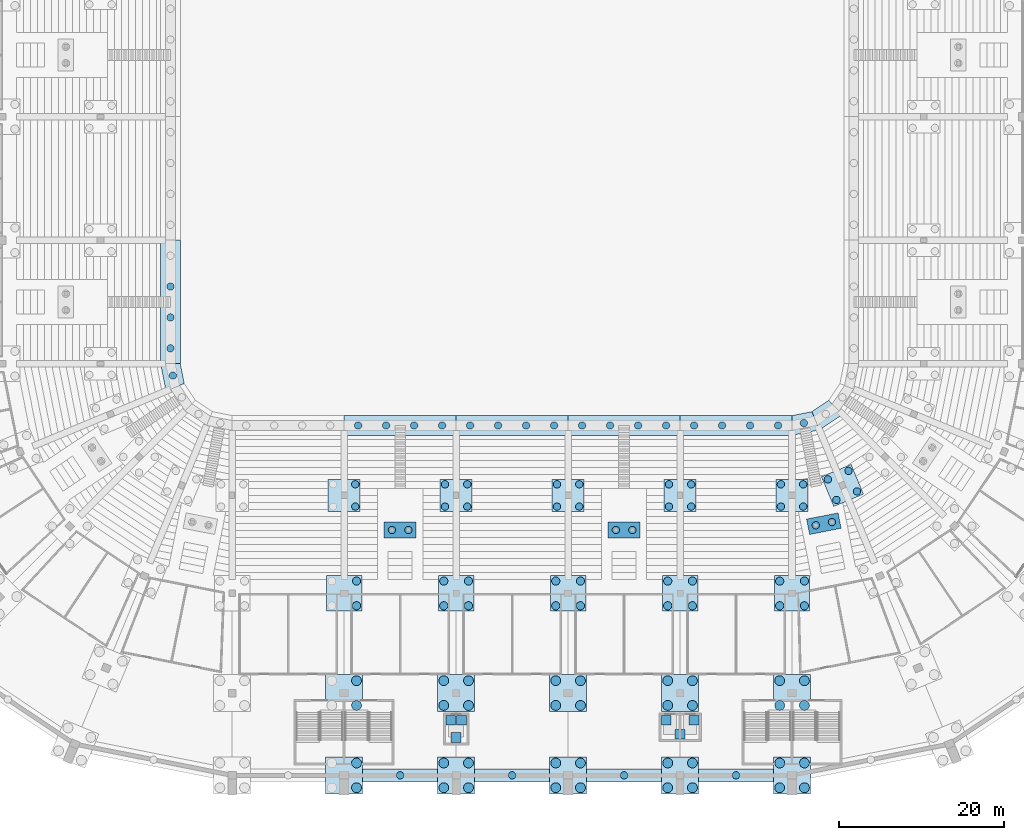
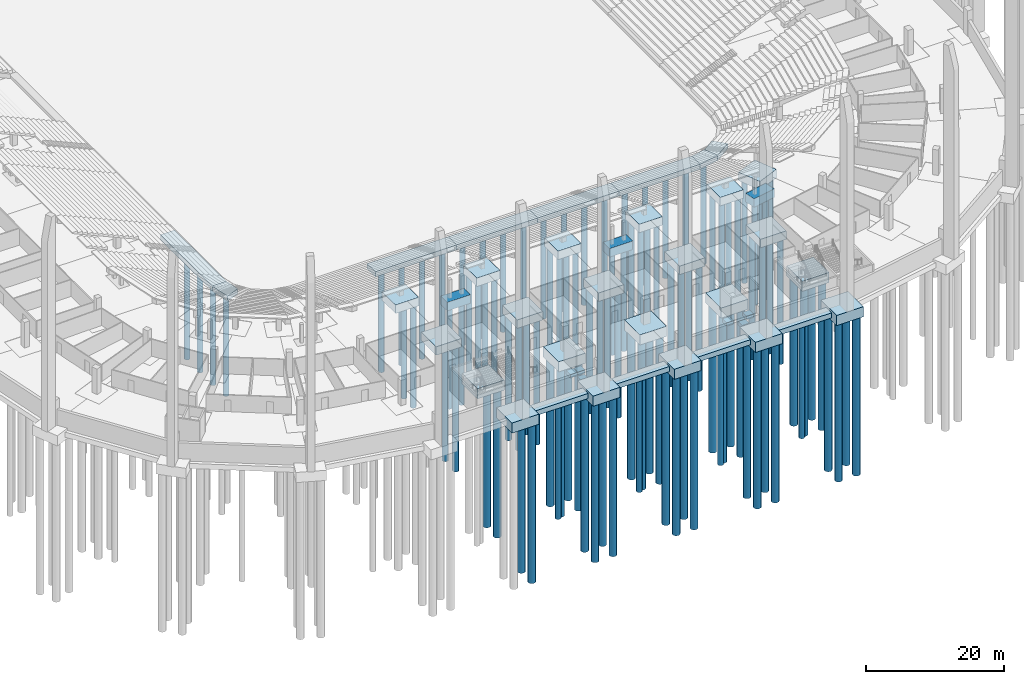
# One storey, part 2 of 115: 107 piles, 42 footings.
"""IFC4 building model written with IfcOpenShell, lengths in metres."""

from ifc_helpers import new_model, si_unit, direction, frame, origin, origin_2d, place, context, subcontext, project, spatial, polyline, rectangle, circle, outline, extrude, material, layer, layer_set, material_profile, profile_set, type_object, element, save


model = new_model("IFC4")

# Units and contexts
model_context = context("Model", 3, precision=1e-05, world=origin(), true_north=direction((0.0, 1.0)))
body_context = subcontext(model_context, "Body", "Model", "MODEL_VIEW")
ifc_project = project(units=[si_unit("LENGTHUNIT", "METRE"), si_unit("AREAUNIT", "SQUARE_METRE"), si_unit("VOLUMEUNIT", "CUBIC_METRE"), si_unit("PLANEANGLEUNIT", "RADIAN"), si_unit("MASSUNIT", "GRAM", prefix="KILO")], contexts=[model_context])

# Site, building, storey
site_placement = place(None, origin())
site = spatial("IfcSite", under=ifc_project, at=site_placement, CompositionType="ELEMENT")
building_placement = place(site_placement, origin())
building = spatial("IfcBuilding", under=site, at=building_placement, Name="Ogive Plaza Stadium", CompositionType="ELEMENT")
storey_placement = place(building_placement, frame((0.0, 0.0, -4.5)))
storey = spatial("IfcBuildingStorey", under=building, at=storey_placement, Name="B1", CompositionType="ELEMENT", Elevation=-4.5)

# Piles
ifc_material_1 = material(Name="Concrete C40/50", Category="concrete")
ifc_material_profile_1 = material_profile(ifc_material_1, circle(Radius=0.5, at=origin_2d()), Name="RC D1000")
ifc_profile_set_1 = profile_set([ifc_material_profile_1], Name="Concrete C40/50")
pile_type_1 = type_object("IfcPileType", Name="Bored pile D1000", PredefinedType="BORED", material=ifc_profile_set_1)
for number, where, z_axis, x_axis, name in (
    (1, (32.5, -78.89990234375, -1.5), (0.0, 0.0, -1.0), (1.0, 0.0, 0.0), "Bored pile F3:R12 1"),
    (2, (35.5, -78.89990234375, -1.5), (0.0, 0.0, -1.0), (1.0, 0.0, 0.0), "Bored pile F3:R12 2"),
    (3, (32.5, -81.89990234375, -1.5), (0.0, 0.0, -1.0), (1.0, 0.0, 0.0), "Bored pile F3:R12 3"),
    (4, (35.5, -81.89990234375, -1.5), (0.0, 0.0, -1.0), (1.0, 0.0, 0.0), "Bored pile F3:R12 4"),
    (5, (18.89990234375, -78.89990234375, -1.5), (0.0, 0.0, -1.0), (1.0, 0.0, 0.0), "Bored pile F3:R13 1"),
    (6, (21.89990234375, -78.89990234375, -1.5), (0.0, 0.0, -1.0), (1.0, 0.0, 0.0), "Bored pile F3:R13 2"),
    (7, (18.89990234375, -81.89990234375, -1.5), (0.0, 0.0, -1.0), (1.0, 0.0, 0.0), "Bored pile F3:R13 3"),
    (8, (21.89990234375, -81.89990234375, -1.5), (0.0, 0.0, -1.0), (1.0, 0.0, 0.0), "Bored pile F3:R13 4"),
    (9, (5.300048828125, -78.89990234375, -1.5), (0.0, 0.0, -1.0), (1.0, 0.0, 0.0), "Bored pile F3:R14 1"),
    (10, (8.300048828125, -78.89990234375, -1.5), (0.0, 0.0, -1.0), (1.0, 0.0, 0.0), "Bored pile F3:R14 2"),
    (11, (5.300048828125, -81.89990234375, -1.5), (0.0, 0.0, -1.0), (1.0, 0.0, 0.0), "Bored pile F3:R14 3"),
    (12, (8.300048828125, -81.89990234375, -1.5), (0.0, 0.0, -1.0), (1.0, 0.0, 0.0), "Bored pile F3:R14 4"),
    (13, (-8.300048828125, -78.89990234375, -1.5), (0.0, 0.0, -1.0), (1.0, 0.0, 0.0), "Bored pile F3:R15 1"),
    (14, (-5.300048828125, -78.89990234375, -1.5), (0.0, 0.0, -1.0), (1.0, 0.0, 0.0), "Bored pile F3:R15 2"),
    (15, (-8.300048828125, -81.89990234375, -1.5), (0.0, 0.0, -1.0), (1.0, 0.0, 0.0), "Bored pile F3:R15 3"),
    (16, (-5.300048828125, -81.89990234375, -1.5), (0.0, 0.0, -1.0), (1.0, 0.0, 0.0), "Bored pile F3:R15 4"),
    (17, (-18.89990234375, -78.89990234375, -1.5), (0.0, 0.0, -1.0), (1.0, 0.0, 0.0), "Bored pile F3:R16 2"),
    (18, (-18.89990234375, -81.89990234375, -1.5), (0.0, 0.0, -1.0), (1.0, 0.0, 0.0), "Bored pile F3:R16 4"),
):
    element("IfcPile", number, at=place(storey_placement, frame(where, z_axis=z_axis, x_axis=x_axis)), inside=storey, type_object=pile_type_1, Name=name, PredefinedType="BORED", context=body_context, shape_type="SweptSolid", body=[
        extrude(circle(Radius=0.5, at=origin_2d()), origin(), (0.0, 0.0, 1.0), 22.0),
    ])
ifc_material_2 = material(Name="Concrete C40/50", Category="concrete")
ifc_material_profile_2 = material_profile(ifc_material_2, circle(Radius=0.60009765625, at=origin_2d()), Name="RC D1200")
ifc_profile_set_2 = profile_set([ifc_material_profile_2], Name="Concrete C40/50")
pile_type_2 = type_object("IfcPileType", Name="Bored pile D1200", PredefinedType="BORED", material=ifc_profile_set_2)
for number, where, z_axis, x_axis, name in (
    (19, (32.5, -91.0, -1.800048828125), (0.0, 0.0, -1.0), (1.0, 0.0, 0.0), "Bored pile F4:R12 1"),
    (20, (35.5, -91.0, -1.800048828125), (0.0, 0.0, -1.0), (1.0, 0.0, 0.0), "Bored pile F4:R12 2"),
    (21, (32.5, -94.0, -1.800048828125), (0.0, 0.0, -1.0), (1.0, 0.0, 0.0), "Bored pile F4:R12 3"),
    (22, (35.5, -94.0, -1.800048828125), (0.0, 0.0, -1.0), (1.0, 0.0, 0.0), "Bored pile F4:R12 4"),
):
    element("IfcPile", number, at=place(storey_placement, frame(where, z_axis=z_axis, x_axis=x_axis)), inside=storey, type_object=pile_type_2, Name=name, PredefinedType="BORED", context=body_context, shape_type="SweptSolid", body=[
        extrude(circle(Radius=0.60009765625, at=origin_2d()), origin(), (0.0, 0.0, 1.0), 26.0),
    ])
for number, where, z_axis, x_axis, name in (
    (23, (32.5, -101.0, -1.800048828125), (0.0, 0.0, -1.0), (1.0, 0.0, 0.0), "Bored pile F5:R12 1"),
    (24, (35.5, -101.0, -1.800048828125), (0.0, 0.0, -1.0), (1.0, 0.0, 0.0), "Bored pile F5:R12 2"),
    (25, (32.5, -104.0, -1.800048828125), (0.0, 0.0, -1.0), (1.0, 0.0, 0.0), "Bored pile F5:R12 3"),
    (26, (35.5, -104.0, -1.800048828125), (0.0, 0.0, -1.0), (1.0, 0.0, 0.0), "Bored pile F5:R12 4"),
):
    element("IfcPile", number, at=place(storey_placement, frame(where, z_axis=z_axis, x_axis=x_axis)), inside=storey, type_object=pile_type_2, Name=name, PredefinedType="BORED", context=body_context, shape_type="SweptSolid", body=[
        extrude(circle(Radius=0.60009765625, at=origin_2d()), origin(), (0.0, 0.0, 1.0), 28.0),
    ])
for number, where, z_axis, x_axis, name in (
    (27, (18.89990234375, -91.0, -1.800048828125), (0.0, 0.0, -1.0), (1.0, 0.0, 0.0), "Bored pile F4:R13 1"),
    (28, (21.89990234375, -91.0, -1.800048828125), (0.0, 0.0, -1.0), (1.0, 0.0, 0.0), "Bored pile F4:R13 2"),
    (29, (18.89990234375, -94.0, -1.800048828125), (0.0, 0.0, -1.0), (1.0, 0.0, 0.0), "Bored pile F4:R13 3"),
    (30, (21.89990234375, -94.0, -1.800048828125), (0.0, 0.0, -1.0), (1.0, 0.0, 0.0), "Bored pile F4:R13 4"),
):
    element("IfcPile", number, at=place(storey_placement, frame(where, z_axis=z_axis, x_axis=x_axis)), inside=storey, type_object=pile_type_2, Name=name, PredefinedType="BORED", context=body_context, shape_type="SweptSolid", body=[
        extrude(circle(Radius=0.60009765625, at=origin_2d()), origin(), (0.0, 0.0, 1.0), 26.0),
    ])
for number, where, z_axis, x_axis, name in (
    (31, (18.89990234375, -101.0, -1.800048828125), (0.0, 0.0, -1.0), (1.0, 0.0, 0.0), "Bored pile F5:R13 1"),
    (32, (21.89990234375, -101.0, -1.800048828125), (0.0, 0.0, -1.0), (1.0, 0.0, 0.0), "Bored pile F5:R13 2"),
    (33, (18.89990234375, -104.0, -1.800048828125), (0.0, 0.0, -1.0), (1.0, 0.0, 0.0), "Bored pile F5:R13 3"),
    (34, (21.89990234375, -104.0, -1.800048828125), (0.0, 0.0, -1.0), (1.0, 0.0, 0.0), "Bored pile F5:R13 4"),
):
    element("IfcPile", number, at=place(storey_placement, frame(where, z_axis=z_axis, x_axis=x_axis)), inside=storey, type_object=pile_type_2, Name=name, PredefinedType="BORED", context=body_context, shape_type="SweptSolid", body=[
        extrude(circle(Radius=0.60009765625, at=origin_2d()), origin(), (0.0, 0.0, 1.0), 28.0),
    ])
for number, where, z_axis, x_axis, name in (
    (35, (5.300048828125, -91.0, -1.800048828125), (0.0, 0.0, -1.0), (1.0, 0.0, 0.0), "Bored pile F4:R14 1"),
    (36, (8.300048828125, -91.0, -1.800048828125), (0.0, 0.0, -1.0), (1.0, 0.0, 0.0), "Bored pile F4:R14 2"),
    (37, (5.300048828125, -94.0, -1.800048828125), (0.0, 0.0, -1.0), (1.0, 0.0, 0.0), "Bored pile F4:R14 3"),
    (38, (8.300048828125, -94.0, -1.800048828125), (0.0, 0.0, -1.0), (1.0, 0.0, 0.0), "Bored pile F4:R14 4"),
):
    element("IfcPile", number, at=place(storey_placement, frame(where, z_axis=z_axis, x_axis=x_axis)), inside=storey, type_object=pile_type_2, Name=name, PredefinedType="BORED", context=body_context, shape_type="SweptSolid", body=[
        extrude(circle(Radius=0.60009765625, at=origin_2d()), origin(), (0.0, 0.0, 1.0), 26.0),
    ])
for number, where, z_axis, x_axis, name in (
    (39, (5.300048828125, -101.0, -1.800048828125), (0.0, 0.0, -1.0), (1.0, 0.0, 0.0), "Bored pile F5:R14 1"),
    (40, (8.300048828125, -101.0, -1.800048828125), (0.0, 0.0, -1.0), (1.0, 0.0, 0.0), "Bored pile F5:R14 2"),
    (41, (5.300048828125, -104.0, -1.800048828125), (0.0, 0.0, -1.0), (1.0, 0.0, 0.0), "Bored pile F5:R14 3"),
    (42, (8.300048828125, -104.0, -1.800048828125), (0.0, 0.0, -1.0), (1.0, 0.0, 0.0), "Bored pile F5:R14 4"),
):
    element("IfcPile", number, at=place(storey_placement, frame(where, z_axis=z_axis, x_axis=x_axis)), inside=storey, type_object=pile_type_2, Name=name, PredefinedType="BORED", context=body_context, shape_type="SweptSolid", body=[
        extrude(circle(Radius=0.60009765625, at=origin_2d()), origin(), (0.0, 0.0, 1.0), 28.0),
    ])
for number, where, z_axis, x_axis, name in (
    (43, (-8.300048828125, -91.0, -1.800048828125), (0.0, 0.0, -1.0), (1.0, 0.0, 0.0), "Bored pile F4:R15 1"),
    (44, (-5.300048828125, -91.0, -1.800048828125), (0.0, 0.0, -1.0), (1.0, 0.0, 0.0), "Bored pile F4:R15 2"),
    (45, (-8.300048828125, -94.0, -1.800048828125), (0.0, 0.0, -1.0), (1.0, 0.0, 0.0), "Bored pile F4:R15 3"),
    (46, (-5.300048828125, -94.0, -1.800048828125), (0.0, 0.0, -1.0), (1.0, 0.0, 0.0), "Bored pile F4:R15 4"),
):
    element("IfcPile", number, at=place(storey_placement, frame(where, z_axis=z_axis, x_axis=x_axis)), inside=storey, type_object=pile_type_2, Name=name, PredefinedType="BORED", context=body_context, shape_type="SweptSolid", body=[
        extrude(circle(Radius=0.60009765625, at=origin_2d()), origin(), (0.0, 0.0, 1.0), 26.0),
    ])
for number, where, z_axis, x_axis, name in (
    (47, (-8.300048828125, -101.0, -1.800048828125), (0.0, 0.0, -1.0), (1.0, 0.0, 0.0), "Bored pile F5:R15 1"),
    (48, (-5.300048828125, -101.0, -1.800048828125), (0.0, 0.0, -1.0), (1.0, 0.0, 0.0), "Bored pile F5:R15 2"),
    (49, (-8.300048828125, -104.0, -1.800048828125), (0.0, 0.0, -1.0), (1.0, 0.0, 0.0), "Bored pile F5:R15 3"),
    (50, (-5.300048828125, -104.0, -1.800048828125), (0.0, 0.0, -1.0), (1.0, 0.0, 0.0), "Bored pile F5:R15 4"),
):
    element("IfcPile", number, at=place(storey_placement, frame(where, z_axis=z_axis, x_axis=x_axis)), inside=storey, type_object=pile_type_2, Name=name, PredefinedType="BORED", context=body_context, shape_type="SweptSolid", body=[
        extrude(circle(Radius=0.60009765625, at=origin_2d()), origin(), (0.0, 0.0, 1.0), 28.0),
    ])
for number, where, z_axis, x_axis, name in (
    (51, (-18.89990234375, -91.0, -1.800048828125), (0.0, 0.0, -1.0), (1.0, 0.0, 0.0), "Bored pile F4:R16 2"),
    (52, (-18.89990234375, -94.0, -1.800048828125), (0.0, 0.0, -1.0), (1.0, 0.0, 0.0), "Bored pile F4:R16 4"),
):
    element("IfcPile", number, at=place(storey_placement, frame(where, z_axis=z_axis, x_axis=x_axis)), inside=storey, type_object=pile_type_2, Name=name, PredefinedType="BORED", context=body_context, shape_type="SweptSolid", body=[
        extrude(circle(Radius=0.60009765625, at=origin_2d()), origin(), (0.0, 0.0, 1.0), 26.0),
    ])
for number, where, z_axis, x_axis, name in (
    (53, (-18.89990234375, -101.0, -1.800048828125), (0.0, 0.0, -1.0), (1.0, 0.0, 0.0), "Bored pile F5:R16 2"),
    (54, (-18.89990234375, -104.0, -1.800048828125), (0.0, 0.0, -1.0), (1.0, 0.0, 0.0), "Bored pile F5:R16 4"),
):
    element("IfcPile", number, at=place(storey_placement, frame(where, z_axis=z_axis, x_axis=x_axis)), inside=storey, type_object=pile_type_2, Name=name, PredefinedType="BORED", context=body_context, shape_type="SweptSolid", body=[
        extrude(circle(Radius=0.60009765625, at=origin_2d()), origin(), (0.0, 0.0, 1.0), 28.0),
    ])
ifc_material_3 = material(Name="Concrete C40/50", Category="concrete")
ifc_material_profile_3 = material_profile(ifc_material_3, circle(Radius=0.449951171875, at=origin_2d()), Name="RC D900")
ifc_profile_set_3 = profile_set([ifc_material_profile_3], Name="Concrete C40/50")
pile_type_3 = type_object("IfcPileType", Name="Bored pile D900", PredefinedType="BORED", material=ifc_profile_set_3)
for number, where, z_axis, x_axis, name in (
    (55, (38.359130859375, -66.551513671875, -1.5), (0.0, 0.0, -1.0), (1.0, 0.0, 0.0), "Bored pile F1:R11 1"),
    (56, (40.853515625, -65.518310546875, -1.5), (0.0, 0.0, -1.0), (1.0, 0.0, 0.0), "Bored pile F1:R11 2"),
    (57, (39.392333984375, -69.0458984375, -1.5), (0.0, 0.0, -1.0), (1.0, 0.0, 0.0), "Bored pile F1:R11 3"),
    (58, (41.88671875, -68.0126953125, -1.5), (0.0, 0.0, -1.0), (1.0, 0.0, 0.0), "Bored pile F1:R11 4"),
    (59, (32.64990234375, -67.14990234375, -1.5), (0.0, 0.0, -1.0), (1.0, 0.0, 0.0), "Bored pile F1:R12 1"),
    (60, (35.35009765625, -67.14990234375, -1.5), (0.0, 0.0, -1.0), (1.0, 0.0, 0.0), "Bored pile F1:R12 2"),
    (61, (32.64990234375, -69.85009765625, -1.5), (0.0, 0.0, -1.0), (1.0, 0.0, 0.0), "Bored pile F1:R12 3"),
    (62, (35.35009765625, -69.85009765625, -1.5), (0.0, 0.0, -1.0), (1.0, 0.0, 0.0), "Bored pile F1:R12 4"),
    (63, (19.050048828125, -67.14990234375, -1.5), (0.0, 0.0, -1.0), (1.0, 0.0, 0.0), "Bored pile F1:R13 1"),
    (64, (21.75, -67.14990234375, -1.5), (0.0, 0.0, -1.0), (1.0, 0.0, 0.0), "Bored pile F1:R13 2"),
    (65, (19.050048828125, -69.85009765625, -1.5), (0.0, 0.0, -1.0), (1.0, 0.0, 0.0), "Bored pile F1:R13 3"),
    (66, (21.75, -69.85009765625, -1.5), (0.0, 0.0, -1.0), (1.0, 0.0, 0.0), "Bored pile F1:R13 4"),
    (67, (5.449951171875, -67.14990234375, -1.5), (0.0, 0.0, -1.0), (1.0, 0.0, 0.0), "Bored pile F1:R14 1"),
    (68, (8.14990234375, -67.14990234375, -1.5), (0.0, 0.0, -1.0), (1.0, 0.0, 0.0), "Bored pile F1:R14 2"),
    (69, (5.449951171875, -69.85009765625, -1.5), (0.0, 0.0, -1.0), (1.0, 0.0, 0.0), "Bored pile F1:R14 3"),
    (70, (8.14990234375, -69.85009765625, -1.5), (0.0, 0.0, -1.0), (1.0, 0.0, 0.0), "Bored pile F1:R14 4"),
    (71, (-8.14990234375, -67.14990234375, -1.5), (0.0, 0.0, -1.0), (1.0, 0.0, 0.0), "Bored pile F1:R15 1"),
    (72, (-5.449951171875, -67.14990234375, -1.5), (0.0, 0.0, -1.0), (1.0, 0.0, 0.0), "Bored pile F1:R15 2"),
    (73, (-8.14990234375, -69.85009765625, -1.5), (0.0, 0.0, -1.0), (1.0, 0.0, 0.0), "Bored pile F1:R15 3"),
    (74, (-5.449951171875, -69.85009765625, -1.5), (0.0, 0.0, -1.0), (1.0, 0.0, 0.0), "Bored pile F1:R15 4"),
    (75, (-19.050048828125, -67.14990234375, -1.5), (0.0, 0.0, -1.0), (1.0, 0.0, 0.0), "Bored pile F1:R16 2"),
    (76, (-19.050048828125, -69.85009765625, -1.5), (0.0, 0.0, -1.0), (1.0, 0.0, 0.0), "Bored pile F1:R16 4"),
    (77, (35.43505859375, -59.714599609375, -1.300048828125), (0.0, 0.0, -1.0), (1.0, 0.0, 0.0), "Bored pile F0:B11 1"),
    (78, (32.300048828125, -60.0, -1.300048828125), (0.0, 0.0, -1.0), (1.0, 0.0, 0.0), "Bored pile F0:B12 1"),
    (79, (28.89990234375, -60.0, -1.300048828125), (0.0, 0.0, -1.0), (1.0, 0.0, 0.0), "Bored pile F0:B12 2"),
    (80, (25.5, -60.0, -1.300048828125), (0.0, 0.0, -1.0), (1.0, 0.0, 0.0), "Bored pile F0:B12 3"),
    (81, (22.10009765625, -60.0, -1.300048828125), (0.0, 0.0, -1.0), (1.0, 0.0, 0.0), "Bored pile F0:B12 4"),
    (82, (18.699951171875, -60.0, -1.300048828125), (0.0, 0.0, -1.0), (1.0, 0.0, 0.0), "Bored pile F0:B13 1"),
    (83, (15.300048828125, -60.0, -1.300048828125), (0.0, 0.0, -1.0), (1.0, 0.0, 0.0), "Bored pile F0:B13 2"),
    (84, (11.89990234375, -60.0, -1.300048828125), (0.0, 0.0, -1.0), (1.0, 0.0, 0.0), "Bored pile F0:B13 3"),
    (85, (8.5, -60.0, -1.300048828125), (0.0, 0.0, -1.0), (1.0, 0.0, 0.0), "Bored pile F0:B13 4"),
    (86, (5.10009765625, -60.0, -1.300048828125), (0.0, 0.0, -1.0), (1.0, 0.0, 0.0), "Bored pile F0:B14 1"),
    (87, (1.699951171875, -60.0, -1.300048828125), (0.0, 0.0, -1.0), (1.0, 0.0, 0.0), "Bored pile F0:B14 2"),
    (88, (-1.699951171875, -60.0, -1.300048828125), (0.0, 0.0, -1.0), (1.0, 0.0, 0.0), "Bored pile F0:B14 3"),
    (89, (-5.10009765625, -60.0, -1.300048828125), (0.0, 0.0, -1.0), (1.0, 0.0, 0.0), "Bored pile F0:B14 4"),
    (90, (-8.5, -60.0, -1.300048828125), (0.0, 0.0, -1.0), (1.0, 0.0, 0.0), "Bored pile F0:B15 1"),
    (91, (-11.89990234375, -60.0, -1.300048828125), (0.0, 0.0, -1.0), (1.0, 0.0, 0.0), "Bored pile F0:B15 2"),
    (92, (-15.300048828125, -60.0, -1.300048828125), (0.0, 0.0, -1.0), (1.0, 0.0, 0.0), "Bored pile F0:B15 3"),
    (93, (-18.699951171875, -60.0, -1.300048828125), (0.0, 0.0, -1.0), (1.0, 0.0, 0.0), "Bored pile F0:B15 4"),
    (94, (-41.214599609375, -53.93505859375, -1.300048828125), (0.0, 0.0, -1.0), (1.0, 0.0, 0.0), "Bored pile F0:B20 1"),
    (95, (-41.5, -50.625, -1.300048828125), (0.0, 0.0, -1.0), (1.0, 0.0, 0.0), "Bored pile F0:B21 1"),
    (96, (-41.5, -46.875, -1.300048828125), (0.0, 0.0, -1.0), (1.0, 0.0, 0.0), "Bored pile F0:B21 2"),
    (97, (-41.5, -43.125, -1.300048828125), (0.0, 0.0, -1.0), (1.0, 0.0, 0.0), "Bored pile F0:B21 3"),
):
    element("IfcPile", number, at=place(storey_placement, frame(where, z_axis=z_axis, x_axis=x_axis)), inside=storey, type_object=pile_type_3, Name=name, PredefinedType="BORED", context=body_context, shape_type="SweptSolid", body=[
        extrude(circle(Radius=0.449951171875, at=origin_2d()), origin(), (0.0, 0.0, 1.0), 18.0),
    ])
for number, where, z_axis, x_axis, name in (
    (98, (27.199951171875, -102.5, -1.300048828125), (0.0, 0.0, -1.0), (1.0, 0.0, 0.0), "Bored pile RET:B12 1"),
    (99, (13.60009765625, -102.5, -1.300048828125), (0.0, 0.0, -1.0), (1.0, 0.0, 0.0), "Bored pile RET:B13 1"),
    (100, (0.0, -102.5, -1.300048828125), (0.0, 0.0, -1.0), (1.0, 0.0, 0.0), "Bored pile RET:B14 1"),
    (101, (-13.60009765625, -102.5, -1.300048828125), (0.0, 0.0, -1.0), (1.0, 0.0, 0.0), "Bored pile RET:B15 1"),
):
    element("IfcPile", number, at=place(storey_placement, frame(where, z_axis=z_axis, x_axis=x_axis)), inside=storey, type_object=pile_type_3, Name=name, PredefinedType="BORED", context=body_context, shape_type="SweptSolid", body=[
        extrude(circle(Radius=0.449951171875, at=origin_2d()), origin(), (0.0, 0.0, 1.0), 20.0),
    ])
for number, where, z_axis, x_axis, name in (
    (102, (36.88427734375, -72.126220703125, -1.5), (0.0, 0.0, -1.0), (1.0, 0.0, 0.0), "Bored pile F1V:B11 1"),
    (103, (38.845947265625, -71.736083984375, -1.5), (0.0, 0.0, -1.0), (1.0, 0.0, 0.0), "Bored pile F1V:B11 2"),
    (104, (12.60009765625, -72.699951171875, -1.5), (0.0, 0.0, -1.0), (1.0, 0.0, 0.0), "Bored pile F1V:B13 1"),
    (105, (14.60009765625, -72.699951171875, -1.5), (0.0, 0.0, -1.0), (1.0, 0.0, 0.0), "Bored pile F1V:B13 2"),
    (106, (-14.60009765625, -72.699951171875, -1.5), (0.0, 0.0, -1.0), (1.0, 0.0, 0.0), "Bored pile F1V:B15 1"),
    (107, (-12.60009765625, -72.699951171875, -1.5), (0.0, 0.0, -1.0), (1.0, 0.0, 0.0), "Bored pile F1V:B15 2"),
):
    element("IfcPile", number, at=place(storey_placement, frame(where, z_axis=z_axis, x_axis=x_axis)), inside=storey, type_object=pile_type_3, Name=name, PredefinedType="BORED", context=body_context, shape_type="SweptSolid", body=[
        extrude(circle(Radius=0.449951171875, at=origin_2d()), origin(), (0.0, 0.0, 1.0), 18.0),
    ])

# Footings
ifc_material_4 = material(Name="Concrete C40/50", Category="concrete")
ifc_layer_1 = layer(ifc_material_4, 0.60009765625)
ifc_layer_set_1 = layer_set([ifc_layer_1], Name="Concrete C40/50")
footing_type_1 = type_object("IfcFootingType", Name="Lift pit pad 1200x1200", PredefinedType="PAD_FOOTING", material=ifc_layer_set_1)
for number, where, z_axis, x_axis, name in (
    (108, (18.72509765625, -95.800048828125, -2.2099609375), (0.0, 0.0, 1.0), (0.0, -1.0, 0.0), "Lift pit pad LP13"),
    (109, (22.074951171875, -95.800048828125, -2.2099609375), (0.0, 0.0, 1.0), (0.0, -1.0, 0.0), "Lift pit pad LP13"),
    (110, (20.39990234375, -97.5, -2.2099609375), (0.0, 0.0, 1.0), (0.0, -1.0, 0.0), "Lift pit pad LP13"),
    (111, (-7.449951171875, -95.800048828125, -2.2099609375), (0.0, 0.0, 1.0), (0.0, -1.0, 0.0), "Lift pit pad LS15"),
    (112, (-6.14990234375, -95.800048828125, -2.2099609375), (0.0, 0.0, 1.0), (0.0, -1.0, 0.0), "Lift pit pad LS15"),
    (113, (-6.800048828125, -97.89990234375, -2.2099609375), (0.0, 0.0, 1.0), (0.0, -1.0, 0.0), "Lift pit pad LS15"),
):
    element("IfcFooting", number, at=place(storey_placement, frame(where, z_axis=z_axis, x_axis=x_axis)), inside=storey, type_object=footing_type_1, Name=name, PredefinedType="PAD_FOOTING", context=body_context, shape_type="SweptSolid", body=[
        extrude(rectangle(XDim=1.199951171875, YDim=1.199951171875, at=origin_2d()), origin(), (0.0, 0.0, 1.0), 0.60009765625),
    ])
ifc_material_5 = material(Name="Concrete C40/50", Category="concrete")
ifc_layer_2 = layer(ifc_material_5, 1.5)
ifc_layer_set_2 = layer_set([ifc_layer_2], Name="Concrete C40/50")
footing_type_2 = type_object("IfcFootingType", Name="Pile cap F1 3900x1500", PredefinedType="PILE_CAP", material=ifc_layer_set_2)
for number, where, z_axis, x_axis, name in (
    (114, (40.123046875, -67.281982421875, -1.5), (0.0, 0.0, 1.0), (0.382683432365, -0.923879532511, 0.0), "Pile cap F1 R11"),
    (115, (34.0, -68.5, -1.5), (0.0, 0.0, 1.0), (0.0, -1.0, 0.0), "Pile cap F1 R12"),
    (116, (20.39990234375, -68.5, -1.5), (0.0, 0.0, 1.0), (0.0, -1.0, 0.0), "Pile cap F1 R13"),
    (117, (6.800048828125, -68.5, -1.5), (0.0, 0.0, 1.0), (0.0, -1.0, 0.0), "Pile cap F1 R14"),
    (118, (-6.800048828125, -68.5, -1.5), (0.0, 0.0, 1.0), (0.0, -1.0, 0.0), "Pile cap F1 R15"),
    (119, (-20.39990234375, -68.5, -1.5), (0.0, 0.0, 1.0), (0.0, -1.0, 0.0), "Pile cap F1 R16"),
):
    element("IfcFooting", number, at=place(storey_placement, frame(where, z_axis=z_axis, x_axis=x_axis)), inside=storey, type_object=footing_type_2, Name=name, PredefinedType="PILE_CAP", context=body_context, shape_type="SweptSolid", body=[
        extrude(rectangle(XDim=3.89990234375, YDim=3.89990234375, at=origin_2d()), origin(), (0.0, 0.0, 1.0), 1.5),
    ])
ifc_material_6 = material(Name="Concrete C40/50", Category="concrete")
ifc_layer_3 = layer(ifc_material_6, 1.5)
ifc_layer_set_3 = layer_set([ifc_layer_3], Name="Concrete C40/50")
footing_type_3 = type_object("IfcFootingType", Name="Pile cap F1V 1900x3900", PredefinedType="PILE_CAP", material=ifc_layer_set_3)
for number, where, z_axis, x_axis, name in (
    (120, (37.864990234375, -71.93115234375, -1.5), (0.0, 0.0, 1.0), (0.195090322016, -0.980785280403, 0.0), "Pile cap F1V B11"),
    (121, (13.60009765625, -72.699951171875, -1.5), (0.0, 0.0, 1.0), (0.0, -1.0, 0.0), "Pile cap F1V B13"),
    (122, (-13.60009765625, -72.699951171875, -1.5), (0.0, 0.0, 1.0), (0.0, -1.0, 0.0), "Pile cap F1V B15"),
):
    element("IfcFooting", number, at=place(storey_placement, frame(where, z_axis=z_axis, x_axis=x_axis)), inside=storey, type_object=footing_type_3, Name=name, PredefinedType="PILE_CAP", context=body_context, shape_type="SweptSolid", body=[
        extrude(rectangle(XDim=1.89990234375, YDim=3.89990234375, at=origin_2d()), origin(), (0.0, 0.0, 1.0), 1.5),
    ])
ifc_material_7 = material(Name="Concrete C40/50", Category="concrete")
ifc_layer_4 = layer(ifc_material_7, 1.5)
ifc_layer_set_4 = layer_set([ifc_layer_4], Name="Concrete C40/50")
footing_type_4 = type_object("IfcFootingType", Name="Pile cap F3 4300x1500", PredefinedType="PILE_CAP", material=ifc_layer_set_4)
for number, where, z_axis, x_axis, name in (
    (123, (34.0, -80.39990234375, -1.5), (0.0, 0.0, 1.0), (0.0, -1.0, 0.0), "Pile cap F3 R12"),
    (124, (20.39990234375, -80.39990234375, -1.5), (0.0, 0.0, 1.0), (0.0, -1.0, 0.0), "Pile cap F3 R13"),
    (125, (6.800048828125, -80.39990234375, -1.5), (0.0, 0.0, 1.0), (0.0, -1.0, 0.0), "Pile cap F3 R14"),
    (126, (-6.800048828125, -80.39990234375, -1.5), (0.0, 0.0, 1.0), (0.0, -1.0, 0.0), "Pile cap F3 R15"),
    (127, (-20.39990234375, -80.39990234375, -1.5), (0.0, 0.0, 1.0), (0.0, -1.0, 0.0), "Pile cap F3 R16"),
):
    element("IfcFooting", number, at=place(storey_placement, frame(where, z_axis=z_axis, x_axis=x_axis)), inside=storey, type_object=footing_type_4, Name=name, PredefinedType="PILE_CAP", context=body_context, shape_type="SweptSolid", body=[
        extrude(rectangle(XDim=4.300048828125, YDim=4.300048828125, at=origin_2d()), origin(), (0.0, 0.0, 1.0), 1.5),
    ])
ifc_material_8 = material(Name="Concrete C40/50", Category="concrete")
ifc_layer_5 = layer(ifc_material_8, 1.800048828125)
ifc_layer_set_5 = layer_set([ifc_layer_5], Name="Concrete C40/50")
footing_type_5 = type_object("IfcFootingType", Name="Pile cap F4 4500x1800", PredefinedType="PILE_CAP", material=ifc_layer_set_5)
for number, where, z_axis, x_axis, name in (
    (128, (34.0, -92.5, -1.7998046875), (0.0, 0.0, 1.0), (0.0, -1.0, 0.0), "Pile cap F4 R12"),
    (129, (20.39990234375, -92.5, -1.7998046875), (0.0, 0.0, 1.0), (0.0, -1.0, 0.0), "Pile cap F4 R13"),
    (130, (6.800048828125, -92.5, -1.7998046875), (0.0, 0.0, 1.0), (0.0, -1.0, 0.0), "Pile cap F4 R14"),
    (131, (-6.800048828125, -92.5, -1.7998046875), (0.0, 0.0, 1.0), (0.0, -1.0, 0.0), "Pile cap F4 R15"),
    (132, (-20.39990234375, -92.5, -1.7998046875), (0.0, 0.0, 1.0), (0.0, -1.0, 0.0), "Pile cap F4 R16"),
):
    element("IfcFooting", number, at=place(storey_placement, frame(where, z_axis=z_axis, x_axis=x_axis)), inside=storey, type_object=footing_type_5, Name=name, PredefinedType="PILE_CAP", context=body_context, shape_type="SweptSolid", body=[
        extrude(rectangle(XDim=4.5, YDim=4.5, at=origin_2d()), origin(), (0.0, 0.0, 1.0), 1.800048828125),
    ])
ifc_material_9 = material(Name="Concrete C40/50", Category="concrete")
ifc_layer_6 = layer(ifc_material_9, 1.800048828125)
ifc_layer_set_6 = layer_set([ifc_layer_6], Name="Concrete C40/50")
footing_type_6 = type_object("IfcFootingType", Name="Pile cap F5 4500x1800", PredefinedType="PILE_CAP", material=ifc_layer_set_6)
for number, where, z_axis, x_axis, name in (
    (133, (34.0, -102.5, -1.7998046875), (0.0, 0.0, 1.0), (0.0, -1.0, 0.0), "Pile cap F5 R12"),
    (134, (20.39990234375, -102.5, -1.7998046875), (0.0, 0.0, 1.0), (0.0, -1.0, 0.0), "Pile cap F5 R13"),
    (135, (6.800048828125, -102.5, -1.7998046875), (0.0, 0.0, 1.0), (0.0, -1.0, 0.0), "Pile cap F5 R14"),
    (136, (-6.800048828125, -102.5, -1.7998046875), (0.0, 0.0, 1.0), (0.0, -1.0, 0.0), "Pile cap F5 R15"),
    (137, (-20.39990234375, -102.5, -1.7998046875), (0.0, 0.0, 1.0), (0.0, -1.0, 0.0), "Pile cap F5 R16"),
):
    element("IfcFooting", number, at=place(storey_placement, frame(where, z_axis=z_axis, x_axis=x_axis)), inside=storey, type_object=footing_type_6, Name=name, PredefinedType="PILE_CAP", context=body_context, shape_type="SweptSolid", body=[
        extrude(rectangle(XDim=4.5, YDim=4.5, at=origin_2d()), origin(), (0.0, 0.0, 1.0), 1.800048828125),
    ])
ifc_material_10 = material(Name="Concrete C40/50", Category="concrete")
ifc_layer_7 = layer(ifc_material_10, 0.89990234375)
ifc_layer_set_7 = layer_set([ifc_layer_7], Name="Concrete C40/50")
footing_type_7 = type_object("IfcFootingType", Name="Strip footing F0 900", PredefinedType="STRIP_FOOTING", material=ifc_layer_set_7)
footing_1_placement = place(storey_placement, frame((0.0, 0.0, -1.300048828125)))
element("IfcFooting", 138, at=footing_1_placement, inside=storey, type_object=footing_type_7, Name="Strip footing F0 B10", PredefinedType="STRIP_FOOTING", context=body_context, shape_type="SweptSolid", body=[
    extrude(outline(polyline([(36.410888671875, -58.320556640625), (37.329345703125, -60.537841796875), (40.15185546875, -58.65185546875), (38.454833984375, -56.954833984375), (36.410888671875, -58.320556640625)])), origin(), (0.0, 0.0, 1.0), 0.900146484375),
])
footing_2_placement = place(storey_placement, frame((0.0, 0.0, -1.300048828125)))
element("IfcFooting", 139, at=footing_2_placement, inside=storey, type_object=footing_type_7, Name="Strip footing F0 B11", PredefinedType="STRIP_FOOTING", context=body_context, shape_type="SweptSolid", body=[
    extrude(outline(polyline([(34.0, -58.800048828125), (34.0, -61.199951171875), (37.329345703125, -60.537841796875), (36.410888671875, -58.320556640625), (34.0, -58.800048828125)])), origin(), (0.0, 0.0, 1.0), 0.900146484375),
])
footing_3_placement = place(storey_placement, frame((0.0, 0.0, -1.300048828125)))
element("IfcFooting", 140, at=footing_3_placement, inside=storey, type_object=footing_type_7, Name="Strip footing F0 B12", PredefinedType="STRIP_FOOTING", context=body_context, shape_type="SweptSolid", body=[
    extrude(outline(polyline([(20.39990234375, -58.800048828125), (20.39990234375, -61.199951171875), (34.0, -61.199951171875), (34.0, -58.800048828125), (20.39990234375, -58.800048828125)])), origin(), (0.0, 0.0, 1.0), 0.900146484375),
])
footing_4_placement = place(storey_placement, frame((0.0, 0.0, -1.300048828125)))
element("IfcFooting", 141, at=footing_4_placement, inside=storey, type_object=footing_type_7, Name="Strip footing F0 B13", PredefinedType="STRIP_FOOTING", context=body_context, shape_type="SweptSolid", body=[
    extrude(outline(polyline([(6.800048828125, -58.800048828125), (6.800048828125, -61.199951171875), (20.39990234375, -61.199951171875), (20.39990234375, -58.800048828125), (6.800048828125, -58.800048828125)])), origin(), (0.0, 0.0, 1.0), 0.900146484375),
])
footing_5_placement = place(storey_placement, frame((0.0, 0.0, -1.300048828125)))
element("IfcFooting", 142, at=footing_5_placement, inside=storey, type_object=footing_type_7, Name="Strip footing F0 B14", PredefinedType="STRIP_FOOTING", context=body_context, shape_type="SweptSolid", body=[
    extrude(outline(polyline([(-6.800048828125, -58.800048828125), (-6.800048828125, -61.199951171875), (6.800048828125, -61.199951171875), (6.800048828125, -58.800048828125), (-6.800048828125, -58.800048828125)])), origin(), (0.0, 0.0, 1.0), 0.900146484375),
])
footing_6_placement = place(storey_placement, frame((0.0, 0.0, -1.300048828125)))
element("IfcFooting", 143, at=footing_6_placement, inside=storey, type_object=footing_type_7, Name="Strip footing F0 B15", PredefinedType="STRIP_FOOTING", context=body_context, shape_type="SweptSolid", body=[
    extrude(outline(polyline([(-20.39990234375, -58.800048828125), (-20.39990234375, -61.199951171875), (-6.800048828125, -61.199951171875), (-6.800048828125, -58.800048828125), (-20.39990234375, -58.800048828125)])), origin(), (0.0, 0.0, 1.0), 0.900146484375),
])
footing_7_placement = place(storey_placement, frame((0.0, 0.0, -1.300048828125)))
element("IfcFooting", 144, at=footing_7_placement, inside=storey, type_object=footing_type_7, Name="Strip footing F0 B20", PredefinedType="STRIP_FOOTING", context=body_context, shape_type="SweptSolid", body=[
    extrude(outline(polyline([(-40.300048828125, -52.5), (-42.699951171875, -52.5), (-42.037841796875, -55.829345703125), (-39.820556640625, -54.910888671875), (-40.300048828125, -52.5)])), origin(), (0.0, 0.0, 1.0), 0.900146484375),
])
footing_8_placement = place(storey_placement, frame((0.0, 0.0, -1.300048828125)))
element("IfcFooting", 145, at=footing_8_placement, inside=storey, type_object=footing_type_7, Name="Strip footing F0 B21", PredefinedType="STRIP_FOOTING", context=body_context, shape_type="SweptSolid", body=[
    extrude(outline(polyline([(-40.300048828125, -37.5), (-42.699951171875, -37.5), (-42.699951171875, -52.5), (-40.300048828125, -52.5), (-40.300048828125, -37.5)])), origin(), (0.0, 0.0, 1.0), 0.900146484375),
])
ifc_material_11 = material(Name="Concrete C40/50", Category="concrete")
ifc_layer_8 = layer(ifc_material_11, 0.89990234375)
ifc_layer_set_8 = layer_set([ifc_layer_8], Name="Concrete C40/50")
footing_type_8 = type_object("IfcFootingType", Name="Strip footing RET 900", PredefinedType="STRIP_FOOTING", material=ifc_layer_set_8)
footing_9_placement = place(storey_placement, frame((0.0, 0.0, -1.300048828125)))
element("IfcFooting", 146, at=footing_9_placement, inside=storey, type_object=footing_type_8, Name="Strip footing retaining wall B12", PredefinedType="STRIP_FOOTING", context=body_context, shape_type="SweptSolid", body=[
    extrude(outline(polyline([(22.64990234375, -101.699951171875), (22.64990234375, -103.300048828125), (31.75, -103.300048828125), (31.75, -101.699951171875), (22.64990234375, -101.699951171875)])), origin(), (0.0, 0.0, 1.0), 0.900146484375),
])
footing_10_placement = place(storey_placement, frame((0.0, 0.0, -1.300048828125)))
element("IfcFooting", 147, at=footing_10_placement, inside=storey, type_object=footing_type_8, Name="Strip footing retaining wall B13", PredefinedType="STRIP_FOOTING", context=body_context, shape_type="SweptSolid", body=[
    extrude(outline(polyline([(9.050048828125, -101.699951171875), (9.050048828125, -103.300048828125), (18.14990234375, -103.300048828125), (18.14990234375, -101.699951171875), (9.050048828125, -101.699951171875)])), origin(), (0.0, 0.0, 1.0), 0.900146484375),
])
footing_11_placement = place(storey_placement, frame((0.0, 0.0, -1.300048828125)))
element("IfcFooting", 148, at=footing_11_placement, inside=storey, type_object=footing_type_8, Name="Strip footing retaining wall B14", PredefinedType="STRIP_FOOTING", context=body_context, shape_type="SweptSolid", body=[
    extrude(outline(polyline([(-4.550048828125, -101.699951171875), (-4.550048828125, -103.300048828125), (4.550048828125, -103.300048828125), (4.550048828125, -101.699951171875), (-4.550048828125, -101.699951171875)])), origin(), (0.0, 0.0, 1.0), 0.900146484375),
])
footing_12_placement = place(storey_placement, frame((0.0, 0.0, -1.300048828125)))
element("IfcFooting", 149, at=footing_12_placement, inside=storey, type_object=footing_type_8, Name="Strip footing retaining wall B15", PredefinedType="STRIP_FOOTING", context=body_context, shape_type="SweptSolid", body=[
    extrude(outline(polyline([(-18.14990234375, -101.699951171875), (-18.14990234375, -103.300048828125), (-9.050048828125, -103.300048828125), (-9.050048828125, -101.699951171875), (-18.14990234375, -101.699951171875)])), origin(), (0.0, 0.0, 1.0), 0.900146484375),
])

save(model, "model.ifc")
